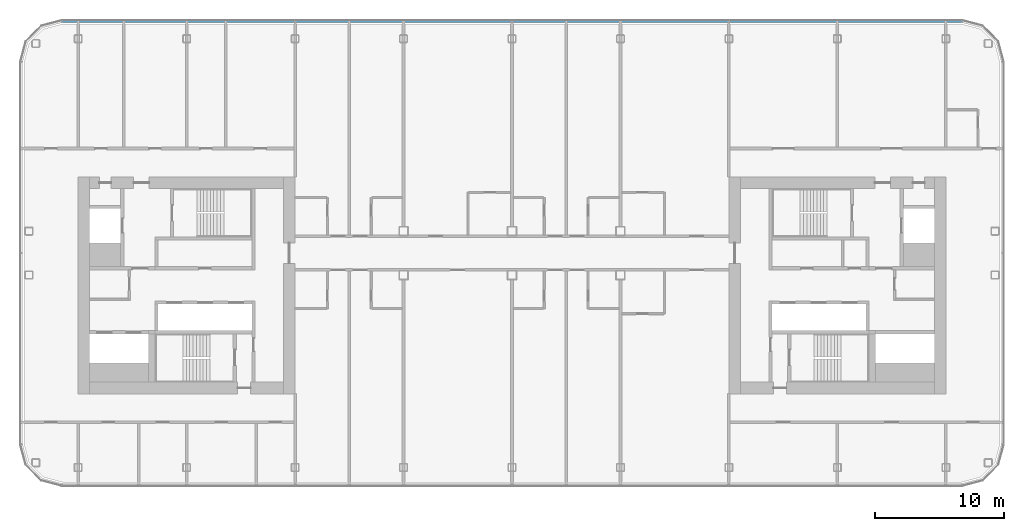
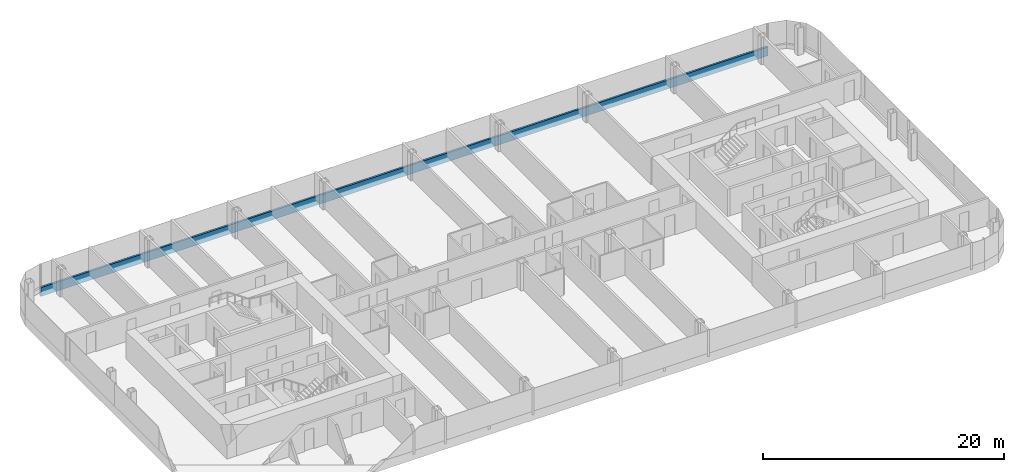
# One storey, part 8 of 26: 1 member, 1 element without a shape of its own.
"""IFC4 building model written with IfcOpenShell, lengths in metres."""

from ifc_helpers import new_model, si_unit, direction, frame, origin, origin_2d, place, context, subcontext, project, spatial, rectangle, extrude, material, layer, layer_set, material_profile, profile_set, type_object, element, aggregate, save


model = new_model("IFC4")

# Units and contexts
model_context = context("Model", 3, precision=1e-05, world=origin(), true_north=direction((0.0, 1.0)))
body_context = subcontext(model_context, "Body", "Model", "MODEL_VIEW")
ifc_project = project(units=[si_unit("LENGTHUNIT", "METRE"), si_unit("AREAUNIT", "SQUARE_METRE"), si_unit("VOLUMEUNIT", "CUBIC_METRE"), si_unit("PLANEANGLEUNIT", "RADIAN"), si_unit("MASSUNIT", "GRAM", prefix="KILO")], contexts=[model_context])

# Site, building, storey
site_placement = place(None, origin())
site = spatial("IfcSite", under=ifc_project, at=site_placement, CompositionType="ELEMENT")
building_placement = place(site_placement, origin())
building = spatial("IfcBuilding", under=site, at=building_placement, Name="Hakoniwa Tower and Hamabe Station Hall", CompositionType="ELEMENT")
storey_placement = place(building_placement, frame((0.0, 0.0, 196.199951171875)))
storey = spatial("IfcBuildingStorey", under=building, at=storey_placement, Name="L55", CompositionType="ELEMENT", Elevation=196.199951171875)

# Curtain wall, member
ifc_material_1 = material(Name="Dark low-e laminated glass", Category="glass")
ifc_layer = layer(ifc_material_1, 0.199951171875)
ifc_layer_set = layer_set([ifc_layer], Name="CW-1 UNITISED GUEST")
curtain_wall_type = type_object("IfcCurtainWallType", Name="CW-1 UNITISED GUEST", PredefinedType="NOTDEFINED", material=ifc_layer_set)
curtain_wall_placement = place(storey_placement, origin())
curtain_wall = element("IfcCurtainWall", 1, at=curtain_wall_placement, inside=storey, type_object=curtain_wall_type, Name="CW-1 curtain wall", PredefinedType="NOTDEFINED")
ifc_material_2 = material(Name="Aluminium 6063-T5 black anodised", Category="aluminium")
ifc_material_profile = material_profile(ifc_material_2, rectangle(XDim=0.199951171875, YDim=0.89990234375, at=origin_2d()), Name="CW SLAB-EDGE BAND 900X200")
ifc_profile_set = profile_set([ifc_material_profile], Name="Aluminium 6063-T5 black anodised")
member_type = type_object("IfcMemberType", Name="CW SLAB-EDGE BAND 900X200", PredefinedType="USERDEFINED", material=ifc_profile_set)
member_placement = place(storey_placement, frame((34.839599609375, 20.449951171875, -0.099853515625), z_axis=(-1.0, 0.0, 0.0), x_axis=(0.0, -1.0, 0.0)))
member = element("IfcMember", 2, at=member_placement, type_object=member_type, Name="CW-1 transom", ObjectType="TRANSOM", PredefinedType="USERDEFINED", context=body_context, shape_type="SweptSolid", body=[
    extrude(rectangle(XDim=0.199951171875, YDim=0.89990234375, at=origin_2d()), origin(), (0.0, 0.0, 1.0), 69.67919921875),
])
aggregate(curtain_wall, [member])

save(model, "model.ifc")
